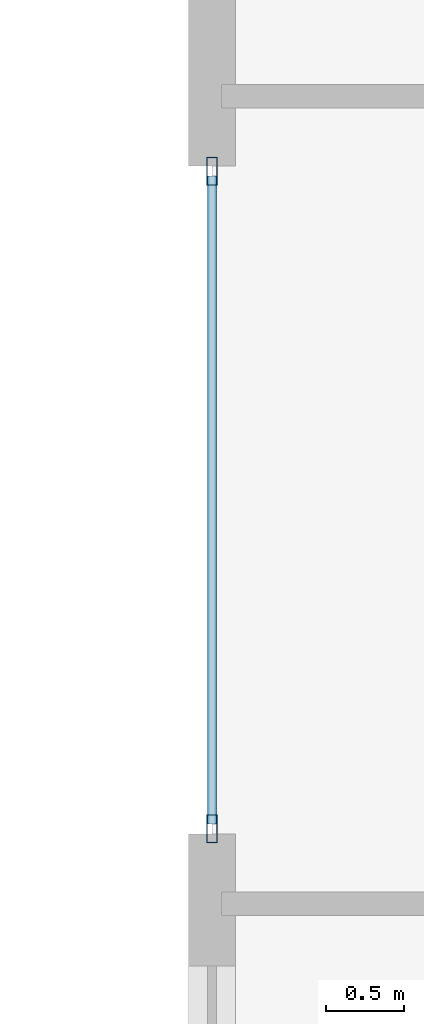
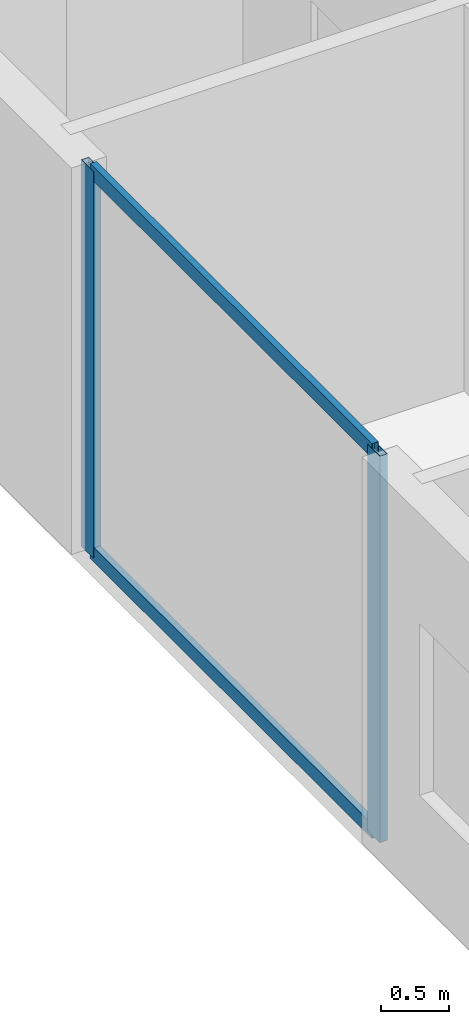
# One storey, part 3 of 33: 4 members, 1 element without a shape of its own.
"""IFC4 building model written with IfcOpenShell, lengths in metres."""

import ifcopenshell
import ifcopenshell.guid

model = None  # the IFC model being written
_history = None  # IfcOwnerHistory: only IFC2X3 demands one
_inside = {}  # id of a spatial element -> (the spatial element, [elements in it])
_under = {}  # id of a project, library or spatial element -> (it, [spatial elements below it])
_declared = {}  # id of a project -> (the project, [libraries it declares])
_typed = {}  # id of a type object -> (the type object, [elements of that type])
_made_of = {}  # id of a material, layer set ... -> (it, [elements and type objects made of it])


def new_model(schema):
    """Start an empty IFC model of exactly this schema.

    Asked for "IFC4X3", IfcOpenShell would pick the latest addendum, in which some entities
    have other attributes; the version numbers below select the first issue.
    IFC2X3 requires an IfcOwnerHistory on every rooted entity: one is made here for all.
    """
    global model, _history
    if schema == "IFC4X3":
        model = ifcopenshell.file(schema_version=(4, 3, 0, 0))
    else:
        model = ifcopenshell.file(schema=schema)
    _inside.clear()
    _under.clear()
    _declared.clear()
    _typed.clear()
    _made_of.clear()
    _history = None
    if model.schema == "IFC2X3":
        org = make("IfcOrganization", Name="unknown")
        user = make(
            "IfcPersonAndOrganization",
            ThePerson=make("IfcPerson", FamilyName="unknown"),
            TheOrganization=org,
        )
        app = make(
            "IfcApplication",
            ApplicationDeveloper=org,
            Version="unknown",
            ApplicationFullName="unknown",
            ApplicationIdentifier="unknown",
        )
        _history = make(
            "IfcOwnerHistory",
            OwningUser=user,
            OwningApplication=app,
            ChangeAction="ADDED",
            CreationDate=0,
        )
    return model


def make(cls, **values):
    """One entity of the class cls with the attributes given. An attribute that is None is left unset."""
    return model.create_entity(
        cls, **{name: value for name, value in values.items() if value is not None}
    )


def rooted(cls, **values):
    """An entity with a GlobalId (a new one), such as an element, a storey or a relation."""
    return make(cls, GlobalId=ifcopenshell.guid.new(), OwnerHistory=_history, **values)


def si_unit(unit_type, name, prefix=None):
    """IfcSIUnit, for example si_unit("LENGTHUNIT", "METRE", prefix="MILLI")."""
    return make("IfcSIUnit", UnitType=unit_type, Prefix=prefix, Name=name)


def assignment(units):
    """IfcUnitAssignment: the units of a project."""
    return None if units is None else make("IfcUnitAssignment", Units=units)


def point(xyz):
    """IfcCartesianPoint."""
    return None if xyz is None else make("IfcCartesianPoint", Coordinates=xyz)


def direction(xyz):
    """IfcDirection."""
    return None if xyz is None else make("IfcDirection", DirectionRatios=xyz)


def frame(location, z_axis=None, x_axis=None):
    """IfcAxis2Placement3D, a coordinate frame: its origin and axes. An axis left out is left unset."""
    return make(
        "IfcAxis2Placement3D",
        Location=point(location),
        Axis=direction(z_axis),
        RefDirection=direction(x_axis),
    )


def frame_2d(location, x_axis=None):
    """IfcAxis2Placement2D, a coordinate frame in the plane: its origin and x axis."""
    return make(
        "IfcAxis2Placement2D", Location=point(location), RefDirection=direction(x_axis)
    )


def origin():
    """The frame at (0, 0, 0) with its axes left unset."""
    return frame((0.0, 0.0, 0.0))


def origin_2d():
    """The frame at (0, 0) in the plane with its x axis left unset."""
    return frame_2d((0.0, 0.0))


def place(relative_to, where):
    """IfcLocalPlacement: puts the frame where relative to a parent placement (None: the world)."""
    return make(
        "IfcLocalPlacement", PlacementRelTo=relative_to, RelativePlacement=where
    )


def context(
    kind, dimensions, precision=None, world=None, true_north=None, identifier=None
):
    """IfcGeometricRepresentationContext, for example the 3D "Model" context."""
    return make(
        "IfcGeometricRepresentationContext",
        ContextIdentifier=identifier,
        ContextType=kind,
        CoordinateSpaceDimension=dimensions,
        Precision=precision,
        WorldCoordinateSystem=world,
        TrueNorth=true_north,
    )


def subcontext(parent, identifier, kind, view, scale=None):
    """IfcGeometricRepresentationSubContext, for example "Body" below "Model"."""
    return make(
        "IfcGeometricRepresentationSubContext",
        ContextIdentifier=identifier,
        ContextType=kind,
        ParentContext=parent,
        TargetScale=scale,
        TargetView=view,
    )


def project(units=None, contexts=None):
    """IfcProject with its units and contexts."""
    return rooted(
        "IfcProject",
        Name="project",
        RepresentationContexts=contexts,
        UnitsInContext=assignment(units),
    )


def spatial(cls, under=None, at=None, **own):
    """A site, building, storey or space (cls), placed at a placement, below another one or the project."""
    s = rooted(cls, ObjectPlacement=at, **own)
    if under is not None:
        _under.setdefault(under.id(), (under, []))[1].append(s)
    return s


def profile(cls, at=None, kind="AREA", **sizes):
    """A parametric profile (cls). Its sizes go by their IFC names, for example OverallWidth=200.0."""
    return make(cls, ProfileType=kind, Position=at, **sizes)


def hollow_rectangle(**sizes):
    """IfcRectangleHollowProfileDef."""
    return profile("IfcRectangleHollowProfileDef", **sizes)


def extrude(swept, where, along, depth):
    """IfcExtrudedAreaSolid: the profile swept, set in the frame where, extruded along a direction by depth."""
    return make(
        "IfcExtrudedAreaSolid",
        SweptArea=swept,
        Position=where,
        ExtrudedDirection=direction(along),
        Depth=depth,
    )


def shape(context_of_items, identifier, shape_type, items):
    """IfcShapeRepresentation: the items that make up one representation, for example the "Body"."""
    return make(
        "IfcShapeRepresentation",
        ContextOfItems=context_of_items,
        RepresentationIdentifier=identifier,
        RepresentationType=shape_type,
        Items=items,
    )


def material(Name=None, Category=None):
    """IfcMaterial."""
    return make("IfcMaterial", Name=Name, Category=Category)


def layer(
    of_material, thickness, ventilated=None, Name=None, Category=None, Priority=None
):
    """IfcMaterialLayer: one layer of a wall or slab, of a material (None: an air gap)."""
    return make(
        "IfcMaterialLayer",
        Material=of_material,
        LayerThickness=thickness,
        IsVentilated=ventilated,
        Name=Name,
        Category=Category,
        Priority=Priority,
    )


def layer_set(layers, Name=None):
    """IfcMaterialLayerSet."""
    return make("IfcMaterialLayerSet", MaterialLayers=layers, LayerSetName=Name)


def material_profile(
    of_material, cross_section, Name=None, Category=None, Priority=None
):
    """IfcMaterialProfile: a cross section and its material."""
    return make(
        "IfcMaterialProfile",
        Name=Name,
        Material=of_material,
        Profile=cross_section,
        Priority=Priority,
        Category=Category,
    )


def profile_set(profiles, Name=None, composite=None):
    """IfcMaterialProfileSet."""
    return make(
        "IfcMaterialProfileSet",
        Name=Name,
        MaterialProfiles=profiles,
        CompositeProfile=composite,
    )


def made_of(thing, what):
    """Note that an element or type object is made of a material, layer set ...; save() writes the relation."""
    if what is not None:
        _made_of.setdefault(what.id(), (what, []))[1].append(thing)
    return thing


def type_object(cls, material=None, **own):
    """A type object (cls), such as IfcWallType, which elements share."""
    return made_of(rooted(cls, **own), material)


def element(
    cls,
    number,
    at=None,
    inside=None,
    cuts=None,
    type_object=None,
    material=None,
    context=None,
    identifier="Body",
    shape_type=None,
    held_by="IfcProductDefinitionShape",
    body=None,
    shapes=None,
    **own,
):
    """One element of the class cls, such as IfcWall. Its Tag is "e" and its number.

    at: its placement. inside: the storey or other place that contains it. cuts: it is an
    opening in that element (IfcRelVoidsElement). A single representation is given by context,
    identifier, shape_type and body (its items); several are given by shapes. held_by: the class
    of the entity that holds the representations. save() writes the other relations.
    """
    e = rooted(cls, Tag="e%d" % number, ObjectPlacement=at, **own)
    if body is not None:
        shapes = [shape(context, identifier, shape_type, body)]
    if shapes is not None:
        e.Representation = make(held_by, Representations=shapes)
    if inside is not None:
        _inside.setdefault(inside.id(), (inside, []))[1].append(e)
    if cuts is not None:
        rooted(
            "IfcRelVoidsElement", RelatingBuildingElement=cuts, RelatedOpeningElement=e
        )
    if type_object is not None:
        _typed.setdefault(type_object.id(), (type_object, []))[1].append(e)
    return made_of(e, material)


def aggregate(whole, parts):
    """IfcRelAggregates: a whole, such as a stair, and the parts it consists of."""
    return rooted("IfcRelAggregates", RelatingObject=whole, RelatedObjects=parts)


def save(model, path):
    """Write the relations noted so far, then the file.

    IfcRelAggregates (storeys below a building ...), IfcRelContainedInSpatialStructure (elements
    in a storey), IfcRelDefinesByType, IfcRelAssociatesMaterial and IfcRelDeclares: one each for
    every whole, place, type object, material and project.
    """
    for whole, parts in _under.values():
        aggregate(whole, parts)
    for where, things in _inside.values():
        rooted(
            "IfcRelContainedInSpatialStructure",
            RelatedElements=things,
            RelatingStructure=where,
        )
    for kind, things in _typed.values():
        rooted("IfcRelDefinesByType", RelatedObjects=things, RelatingType=kind)
    for what, things in _made_of.values():
        rooted("IfcRelAssociatesMaterial", RelatedObjects=things, RelatingMaterial=what)
    for by, libraries in _declared.values():
        rooted("IfcRelDeclares", RelatingContext=by, RelatedDefinitions=libraries)
    model.write(path)


model = new_model("IFC4")

# Units and contexts
model_context = context("Model", 3, precision=1e-05, world=origin(), true_north=direction((0.0, 1.0)))
body_context = subcontext(model_context, "Body", "Model", "MODEL_VIEW")
ifc_project = project(units=[si_unit("LENGTHUNIT", "METRE"), si_unit("AREAUNIT", "SQUARE_METRE"), si_unit("VOLUMEUNIT", "CUBIC_METRE"), si_unit("PLANEANGLEUNIT", "RADIAN"), si_unit("MASSUNIT", "GRAM", prefix="KILO")], contexts=[model_context])

# Site, building, storey
site_placement = place(None, origin())
site = spatial("IfcSite", under=ifc_project, at=site_placement, CompositionType="ELEMENT")
building_placement = place(site_placement, origin())
building = spatial("IfcBuilding", under=site, at=building_placement, Name="Zuhayl Quay Hotel", CompositionType="ELEMENT")
storey_placement = place(building_placement, frame((0.0, 0.0, 229.89990234375)))
storey = spatial("IfcBuildingStorey", under=building, at=storey_placement, Name="L58", CompositionType="ELEMENT", Elevation=229.89990234375)

# Curtain wall, members
ifc_material_1 = material(Name="Anodised Aluminium 6063-T6", Category="aluminium")
ifc_layer = layer(ifc_material_1, 0.175048828125, Name="Anodised Aluminium 6063-T6", Category="aluminium")
ifc_layer_set = layer_set([ifc_layer], Name="Anodised Aluminium 6063-T6")
curtain_wall_type = type_object("IfcCurtainWallType", Name="CW_SYS_Z3", PredefinedType="USERDEFINED", material=ifc_layer_set)
curtain_wall_placement = place(storey_placement, origin())
curtain_wall = element("IfcCurtainWall", 1, at=curtain_wall_placement, inside=storey, type_object=curtain_wall_type, Name="L58 Curtain Wall ENV_L58_E02_CW1", ObjectType="UNITISED CURTAIN WALL", PredefinedType="USERDEFINED")
ifc_material_2 = material(Name="Black-anodised aluminium 6063-T6", Category="aluminium")
ifc_material_profile_1 = material_profile(ifc_material_2, hollow_rectangle(XDim=0.06494140625, YDim=0.179931640625, WallThickness=0.00341796875, at=origin_2d()), Name="ALU180X65")
ifc_profile_set_1 = profile_set([ifc_material_profile_1], Name="Black-anodised aluminium 6063-T6")
member_type_1 = type_object("IfcMemberType", Name="MB_CW_MUL_180", PredefinedType="MULLION", material=ifc_profile_set_1)
member_1_placement = place(storey_placement, frame((-22.10009765625, 2.032470703125, 0.0), z_axis=(0.0, 0.0, 1.0), x_axis=(-1.0, 0.0, 0.0)))
member_1 = element("IfcMember", 2, at=member_1_placement, type_object=member_type_1, Name="CW-Z3 mullion 1", PredefinedType="MULLION", context=body_context, shape_type="SweptSolid", body=[
    extrude(hollow_rectangle(XDim=0.06494140625, YDim=0.179931640625, WallThickness=0.00341796875, at=origin_2d()), origin(), (0.0, 0.0, 1.0), 3.489990234375),
])
member_2_placement = place(storey_placement, frame((-22.10009765625, 6.267578125, 0.0), z_axis=(0.0, 0.0, 1.0), x_axis=(-1.0, 0.0, 0.0)))
member_2 = element("IfcMember", 3, at=member_2_placement, type_object=member_type_1, Name="CW-Z3 mullion 2", PredefinedType="MULLION", context=body_context, shape_type="SweptSolid", body=[
    extrude(hollow_rectangle(XDim=0.06494140625, YDim=0.179931640625, WallThickness=0.00341796875, at=origin_2d()), origin(), (0.0, 0.0, 1.0), 3.489990234375),
])
ifc_material_profile_2 = material_profile(ifc_material_2, hollow_rectangle(XDim=0.054931640625, YDim=0.1298828125, WallThickness=0.0029296875, at=origin_2d()), Name="ALU130X55")
ifc_profile_set_2 = profile_set([ifc_material_profile_2], Name="Black-anodised aluminium 6063-T6")
member_type_2 = type_object("IfcMemberType", Name="MB_CW_TRN_130", PredefinedType="USERDEFINED", material=ifc_profile_set_2)
member_3_placement = place(storey_placement, frame((-22.10009765625, 2.06494140625, 0.027587890625), z_axis=(0.0, 1.0, 0.0), x_axis=(-1.0, 0.0, 0.0)))
member_3 = element("IfcMember", 4, at=member_3_placement, type_object=member_type_2, Name="CW-Z3 transom 1.1", ObjectType="TRANSOM", PredefinedType="USERDEFINED", context=body_context, shape_type="SweptSolid", body=[
    extrude(hollow_rectangle(XDim=0.054931640625, YDim=0.1298828125, WallThickness=0.0029296875, at=origin_2d()), origin(), (0.0, 0.0, 1.0), 4.170166015625),
])
member_4_placement = place(storey_placement, frame((-22.10009765625, 2.06494140625, 3.462646484375), z_axis=(0.0, 1.0, 0.0), x_axis=(-1.0, 0.0, 0.0)))
member_4 = element("IfcMember", 5, at=member_4_placement, type_object=member_type_2, Name="CW-Z3 transom 1.2", ObjectType="TRANSOM", PredefinedType="USERDEFINED", context=body_context, shape_type="SweptSolid", body=[
    extrude(hollow_rectangle(XDim=0.054931640625, YDim=0.1298828125, WallThickness=0.0029296875, at=origin_2d()), origin(), (0.0, 0.0, 1.0), 4.170166015625),
])
aggregate(curtain_wall, [member_1, member_2, member_3, member_4])

save(model, "model.ifc")
